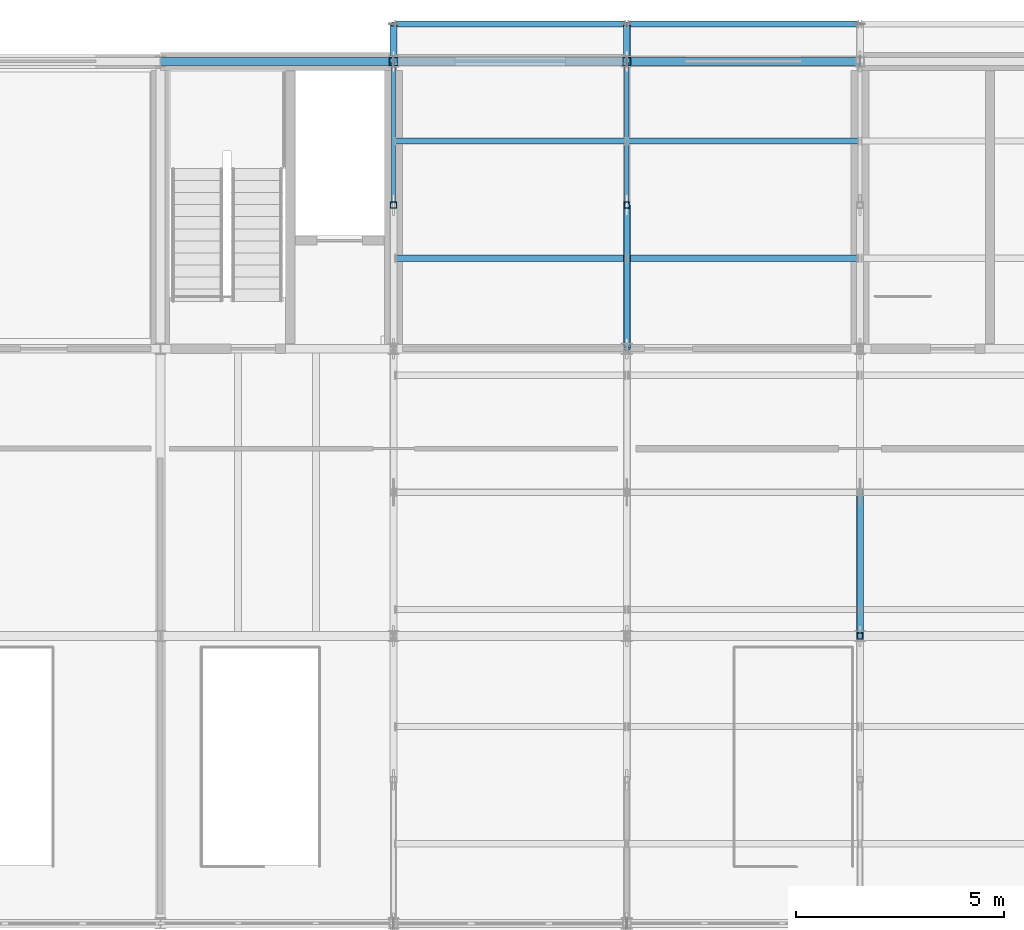
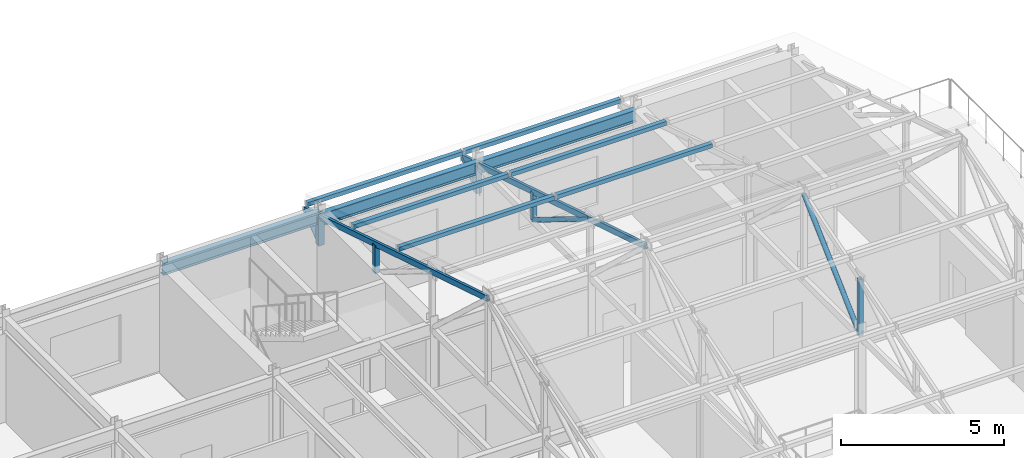
# One storey, part 77 of 144: 17 members, 3 beams.
"""IFC4 building model written with IfcOpenShell, lengths in metres."""

from ifc_helpers import new_model, si_unit, direction, frame, origin, origin_2d, place, context, subcontext, project, spatial, hollow_rectangle, hollow_circle, i_section, extrude, material, material_profile, profile_set, type_object, element, save


model = new_model("IFC4")

# Units and contexts
model_context = context("Model", 3, precision=1e-05, world=origin(), true_north=direction((0.0, 1.0)))
body_context = subcontext(model_context, "Body", "Model", "MODEL_VIEW")
ifc_project = project(units=[si_unit("LENGTHUNIT", "METRE"), si_unit("AREAUNIT", "SQUARE_METRE"), si_unit("VOLUMEUNIT", "CUBIC_METRE"), si_unit("PLANEANGLEUNIT", "RADIAN"), si_unit("MASSUNIT", "GRAM", prefix="KILO")], contexts=[model_context])

# Site, building, storey
site_placement = place(None, origin())
site = spatial("IfcSite", under=ifc_project, at=site_placement, CompositionType="ELEMENT")
building_placement = place(site_placement, origin())
building = spatial("IfcBuilding", under=site, at=building_placement, Name="Trelmorton Wharf Fire Station", CompositionType="ELEMENT")
storey_placement = place(building_placement, frame((0.0, 0.0, 5.39990234375)))
storey = spatial("IfcBuildingStorey", under=building, at=storey_placement, Name="L01", CompositionType="ELEMENT", Elevation=5.39990234375)

# Members
ifc_material_1 = material(Name="Steel C350L0 (350 MPa)", Category="steel")
ifc_material_profile_1 = material_profile(ifc_material_1, hollow_rectangle(XDim=0.14990234375, YDim=0.14990234375, WallThickness=0.009033203125, at=origin_2d()), Name="150x150x9.0SHS")
ifc_profile_set_1 = profile_set([ifc_material_profile_1], Name="Steel C350L0 (350 MPa)")
member_type_1 = type_object("IfcMemberType", Name="PR_150SHS", PredefinedType="PURLIN", material=ifc_profile_set_1)
for number, where, z_axis, x_axis, name in (
    (1, (23.2470703125, 76.27490234375, 5.338134765625), (1.0, 0.0, 0.0), (0.0, 1.0, 0.0), "V6-PR-B01-N2"),
    (2, (23.2470703125, 79.08740234375, 4.468505859375), (1.0, 0.0, 0.0), (0.0, 1.0, 0.0), "V6-PR-B01-N3"),
    (3, (23.2470703125, 81.89990234375, 3.598876953125), (1.0, 0.0, 0.0), (0.0, 1.0, 0.0), "V6-PR-B01-N4"),
):
    element("IfcMember", number, at=place(storey_placement, frame(where, z_axis=z_axis, x_axis=x_axis)), inside=storey, type_object=member_type_1, Name=name, PredefinedType="PURLIN", context=body_context, shape_type="SweptSolid", body=[
        extrude(hollow_rectangle(XDim=0.14990234375, YDim=0.14990234375, WallThickness=0.009033203125, at=origin_2d()), origin(), (0.0, 0.0, 1.0), 5.505859375),
    ])
for number, where, z_axis, x_axis, name in (
    (4, (28.846923828125, 76.27490234375, 5.338134765625), (1.0, 0.0, 0.0), (0.0, 1.0, 0.0), "V6-PR-B02-N2"),
    (5, (28.846923828125, 79.08740234375, 4.468505859375), (1.0, 0.0, 0.0), (0.0, 1.0, 0.0), "V6-PR-B02-N3"),
    (6, (28.846923828125, 81.89990234375, 3.598876953125), (1.0, 0.0, 0.0), (0.0, 1.0, 0.0), "V6-PR-B02-N4"),
):
    element("IfcMember", number, at=place(storey_placement, frame(where, z_axis=z_axis, x_axis=x_axis)), inside=storey, type_object=member_type_1, Name=name, PredefinedType="PURLIN", context=body_context, shape_type="SweptSolid", body=[
        extrude(hollow_rectangle(XDim=0.14990234375, YDim=0.14990234375, WallThickness=0.009033203125, at=origin_2d()), origin(), (0.0, 0.0, 1.0), 5.506103515625),
    ])

# Beams
ifc_material_2 = material(Name="Steel Grade 350", Category="steel")
ifc_material_profile_2 = material_profile(ifc_material_2, i_section(OverallWidth=0.18994140625, OverallDepth=0.45703125, WebThickness=0.009033203125, FlangeThickness=0.014404296875, FilletRadius=0.011474609375, at=origin_2d()), Name="460UB74.6")
ifc_profile_set_2 = profile_set([ifc_material_profile_2], Name="Steel Grade 350")
beam_type = type_object("IfcBeamType", Name="SP_460UB75", PredefinedType="SPANDREL", material=ifc_profile_set_2)
beam_1_placement = place(storey_placement, frame((17.60400390625, 81.0, 3.70166015625), z_axis=(1.0, 0.0, 0.0), x_axis=(0.0, 1.0, 0.0)))
element("IfcBeam", 7, at=beam_1_placement, inside=storey, type_object=beam_type, Name="BM-L01-0547", PredefinedType="SPANDREL", context=body_context, shape_type="SweptSolid", body=[
    extrude(i_section(OverallWidth=0.18994140625, OverallDepth=0.45703125, WebThickness=0.009033203125, FlangeThickness=0.014404296875, FilletRadius=0.011474609375, at=origin_2d()), origin(), (0.0, 0.0, 1.0), 5.592041015625),
])
beam_2_placement = place(storey_placement, frame((23.2041015625, 81.0, 3.591552734375), z_axis=(1.0, 0.0, 0.0), x_axis=(0.0, 1.0, 0.0)))
element("IfcBeam", 8, at=beam_2_placement, inside=storey, type_object=beam_type, Name="BM-L01-0548", PredefinedType="SPANDREL", context=body_context, shape_type="SweptSolid", body=[
    extrude(i_section(OverallWidth=0.18994140625, OverallDepth=0.45703125, WebThickness=0.009033203125, FlangeThickness=0.014404296875, FilletRadius=0.011474609375, at=origin_2d()), origin(), (0.0, 0.0, 1.0), 5.591796875),
])
beam_3_placement = place(storey_placement, frame((28.803955078125, 81.0, 3.591552734375), z_axis=(1.0, 0.0, 0.0), x_axis=(0.0, 1.0, 0.0)))
element("IfcBeam", 9, at=beam_3_placement, inside=storey, type_object=beam_type, Name="BM-L01-0549", PredefinedType="SPANDREL", context=body_context, shape_type="SweptSolid", body=[
    extrude(i_section(OverallWidth=0.18994140625, OverallDepth=0.45703125, WebThickness=0.009033203125, FlangeThickness=0.014404296875, FilletRadius=0.011474609375, at=origin_2d()), origin(), (0.0, 0.0, 1.0), 5.592041015625),
])

# Members
ifc_material_profile_3 = material_profile(ifc_material_1, hollow_circle(Radius=0.084228515625, WallThickness=0.007080078125, at=origin_2d()), Name="168.3x7.1CHS")
ifc_profile_set_3 = profile_set([ifc_material_profile_3], Name="Steel C350L0 (350 MPa)")
member_type_2 = type_object("IfcMemberType", Name="TR_DIAG_168CHS", PredefinedType="STRUT", material=ifc_profile_set_3)
for number, where, z_axis, x_axis, name in (
    (10, (23.199951171875, 81.0, 2.7001953125), (0.0, 0.786955048381, 0.617010333647), (-1.0, 0.0, 0.0), "V6-TR01-EAV-N"),
    (11, (28.800048828125, 81.0, 2.7001953125), (0.0, 0.786955048381, 0.617010333647), (-1.0, 0.0, 0.0), "V6-TR02-EAV-N"),
):
    element("IfcMember", number, at=place(storey_placement, frame(where, z_axis=z_axis, x_axis=x_axis)), inside=storey, type_object=member_type_2, Name=name, PredefinedType="STRUT", context=body_context, shape_type="SweptSolid", body=[
        extrude(hollow_circle(Radius=0.084228515625, WallThickness=0.007080078125, at=origin_2d()), origin(), (0.0, 0.0, 1.0), 1.1435546875),
    ])
member_1_placement = place(storey_placement, frame((28.800048828125, 77.550048828125, 3.68408203125), z_axis=(0.0, -0.85052799659, 0.525929773845), x_axis=(1.0, 0.0, 0.0)))
element("IfcMember", 12, at=member_1_placement, inside=storey, type_object=member_type_2, Name="V6-TR02-DG-N1", PredefinedType="STRUT", context=body_context, shape_type="SweptSolid", body=[
    extrude(hollow_circle(Radius=0.084228515625, WallThickness=0.007080078125, at=origin_2d()), origin(), (0.0, 0.0, 1.0), 4.05615234375),
])
member_2_placement = place(storey_placement, frame((34.39990234375, 67.199951171875, 3.68408203125), z_axis=(0.0, 0.733172202027, 0.680043029649), x_axis=(-1.0, 0.0, 0.0)))
element("IfcMember", 13, at=member_2_placement, inside=storey, type_object=member_type_2, Name="V6-TR03-DG-S2", PredefinedType="STRUT", context=body_context, shape_type="SweptSolid", body=[
    extrude(hollow_circle(Radius=0.084228515625, WallThickness=0.007080078125, at=origin_2d()), origin(), (0.0, 0.0, 1.0), 4.70556640625),
])
ifc_material_profile_4 = material_profile(ifc_material_1, hollow_rectangle(XDim=0.14990234375, YDim=0.14990234375, WallThickness=0.009033203125, at=origin_2d()), Name="150x150x9.0SHS")
ifc_profile_set_4 = profile_set([ifc_material_profile_4], Name="Steel C350L0 (350 MPa)")
member_type_3 = type_object("IfcMemberType", Name="TR_POST_150SHS", PredefinedType="POST", material=ifc_profile_set_4)
for number, where, z_axis, x_axis, name in (
    (14, (23.199951171875, 77.550048828125, 3.68408203125), (0.0, 0.0, 1.0), (1.0, 0.0, 0.0), "V6-TR01-VP-N1"),
    (15, (28.800048828125, 77.550048828125, 3.68408203125), (0.0, 0.0, 1.0), (1.0, 0.0, 0.0), "V6-TR02-VP-N1"),
):
    element("IfcMember", number, at=place(storey_placement, frame(where, z_axis=z_axis, x_axis=x_axis)), inside=storey, type_object=member_type_3, Name=name, PredefinedType="POST", context=body_context, shape_type="SweptSolid", body=[
        extrude(hollow_rectangle(XDim=0.14990234375, YDim=0.14990234375, WallThickness=0.009033203125, at=origin_2d()), origin(), (0.0, 0.0, 1.0), 1.066650390625),
    ])
member_3_placement = place(storey_placement, frame((34.39990234375, 67.199951171875, 3.68408203125), z_axis=(0.0, 0.0, 1.0), x_axis=(1.0, 0.0, 0.0)))
element("IfcMember", 16, at=member_3_placement, inside=storey, type_object=member_type_3, Name="V6-TR03-VP-S2", PredefinedType="POST", context=body_context, shape_type="SweptSolid", body=[
    extrude(hollow_rectangle(XDim=0.14990234375, YDim=0.14990234375, WallThickness=0.009033203125, at=origin_2d()), origin(), (0.0, 0.0, 1.0), 2.13330078125),
])
ifc_material_profile_5 = material_profile(ifc_material_1, hollow_rectangle(XDim=0.199951171875, YDim=0.199951171875, WallThickness=0.010009765625, at=origin_2d()), Name="200x200x10.0SHS")
ifc_profile_set_5 = profile_set([ifc_material_profile_5], Name="Steel C350L0 (350 MPa)")
member_type_4 = type_object("IfcMemberType", Name="TR_POST_200SHS", PredefinedType="POST", material=ifc_profile_set_5)
for number, where, z_axis, x_axis, name in (
    (17, (23.199951171875, 81.0, 2.650146484375), (0.0, 0.0, 1.0), (1.0, 0.0, 0.0), "V6-TR01-SHN"),
    (18, (28.800048828125, 81.0, 2.650146484375), (0.0, 0.0, 1.0), (1.0, 0.0, 0.0), "V6-TR02-SHN"),
):
    element("IfcMember", number, at=place(storey_placement, frame(where, z_axis=z_axis, x_axis=x_axis)), inside=storey, type_object=member_type_4, Name=name, PredefinedType="POST", context=body_context, shape_type="SweptSolid", body=[
        extrude(hollow_rectangle(XDim=0.199951171875, YDim=0.199951171875, WallThickness=0.010009765625, at=origin_2d()), origin(), (0.0, 0.0, 1.0), 1.033935546875),
    ])
ifc_material_profile_6 = material_profile(ifc_material_1, hollow_rectangle(XDim=0.10009765625, YDim=0.199951171875, WallThickness=0.006103515625, at=origin_2d()), Name="200x100x6.0RHS")
ifc_profile_set_6 = profile_set([ifc_material_profile_6], Name="Steel C350L0 (350 MPa)")
member_type_5 = type_object("IfcMemberType", Name="TR_RAFT_200RHS", PredefinedType="RAFTER", material=ifc_profile_set_6)
for number, where, z_axis, x_axis, name in (
    (19, (23.199951171875, 70.64990234375, 6.884033203125), (0.0, 0.955378707883, -0.295383690348), (-1.0, 0.0, 0.0), "V6-TR01-RFN"),
    (20, (28.800048828125, 70.64990234375, 6.884033203125), (0.0, 0.955378707883, -0.295383690348), (-1.0, 0.0, 0.0), "V6-TR02-RFN"),
):
    element("IfcMember", number, at=place(storey_placement, frame(where, z_axis=z_axis, x_axis=x_axis)), inside=storey, type_object=member_type_5, Name=name, PredefinedType="RAFTER", context=body_context, shape_type="SweptSolid", body=[
        extrude(hollow_rectangle(XDim=0.10009765625, YDim=0.199951171875, WallThickness=0.006103515625, at=origin_2d()), origin(), (0.0, 0.0, 1.0), 11.775390625),
    ])

save(model, "model.ifc")
